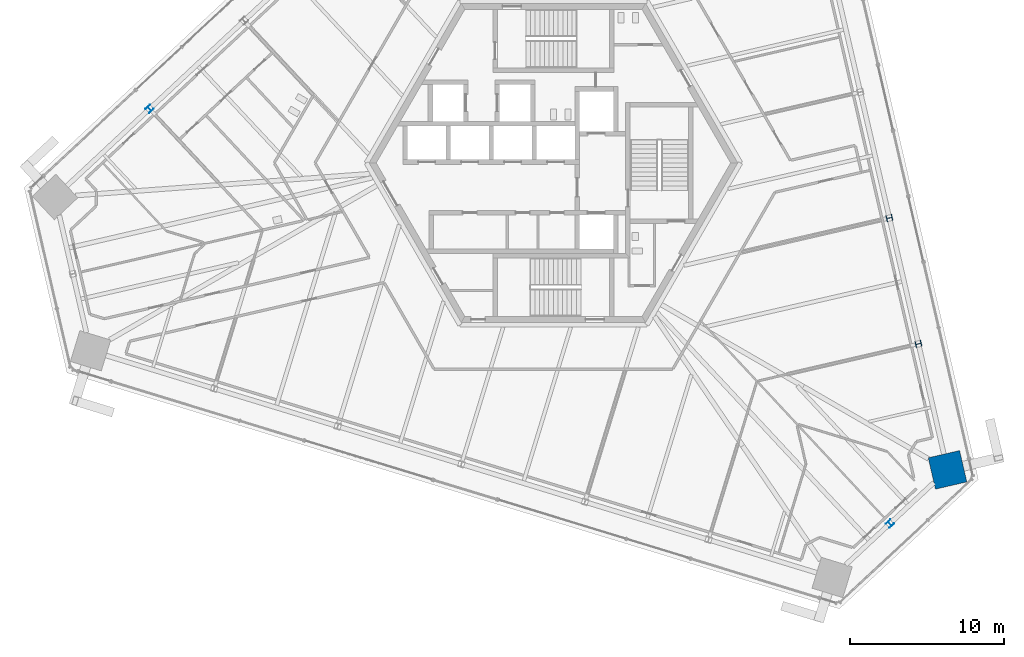
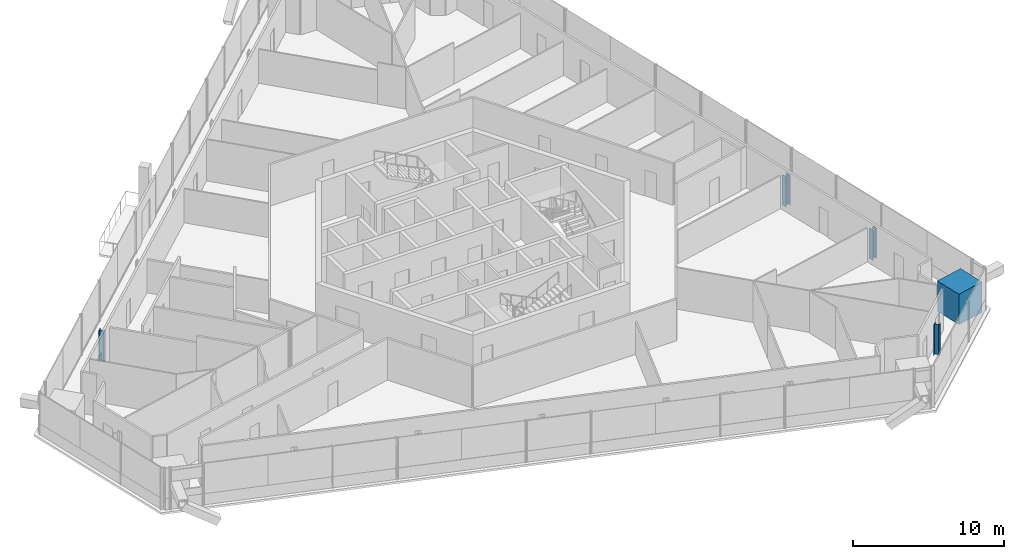
# One storey, part 2 of 25: 5 columns.
"""IFC4 building model written with IfcOpenShell, lengths in metres."""

from ifc_helpers import new_model, si_unit, direction, frame, origin, origin_2d, place, context, subcontext, project, spatial, rectangle, i_section, extrude, source, transform, mapped, material, material_profile, profile_set, type_object, element, save


model = new_model("IFC4")

# Units and contexts
model_context = context("Model", 3, precision=1e-05, world=origin(), true_north=direction((0.0, 1.0)))
body_context = subcontext(model_context, "Body", "Model", "MODEL_VIEW")
ifc_project = project(units=[si_unit("LENGTHUNIT", "METRE"), si_unit("AREAUNIT", "SQUARE_METRE"), si_unit("VOLUMEUNIT", "CUBIC_METRE"), si_unit("PLANEANGLEUNIT", "RADIAN"), si_unit("MASSUNIT", "GRAM", prefix="KILO")], contexts=[model_context])

# Site, building, storey
site_placement = place(None, origin())
site = spatial("IfcSite", under=ifc_project, at=site_placement, CompositionType="ELEMENT")
building_placement = place(site_placement, origin())
building = spatial("IfcBuilding", under=site, at=building_placement, Name="Triune Harvest Tower", CompositionType="ELEMENT")
storey_placement = place(building_placement, frame((0.0, 0.0, 130.699951171875)))
storey = spatial("IfcBuildingStorey", under=building, at=storey_placement, Name="L33", CompositionType="ELEMENT", Elevation=130.699951171875)

# Columns
ifc_material_1 = material(Name="Concrete 70 MPa", Category="concrete")
ifc_material_profile_1 = material_profile(ifc_material_1, rectangle(XDim=2.10009765625, YDim=2.10009765625, at=origin_2d()), Name="Composite 2100x2100")
ifc_profile_set_1 = profile_set([ifc_material_profile_1], Name="Concrete 70 MPa")
column_type_1 = type_object("IfcColumnType", Name="MC-3 Mega column Composite 2100x2100", PredefinedType="COLUMN", material=ifc_profile_set_1)
shared_shape_1 = source(origin(), body_context, "Body", "SweptSolid", [
    extrude(rectangle(XDim=2.10009765625, YDim=2.10009765625, at=origin_2d()), origin(), (0.0, 0.0, 1.0), 2.449951171875),
])
column_placement = place(storey_placement, frame((25.65869140625, -19.983642578125, 0.0), z_axis=(0.0, 0.0, 1.0), x_axis=(-0.22495275494, 0.97436967217, 0.0)))
element("IfcColumn", 1, at=column_placement, inside=storey, type_object=column_type_1, Name="col/L33/M0", PredefinedType="COLUMN", context=body_context, shape_type="MappedRepresentation", body=[
    mapped(shared_shape_1, transform((0.0, 0.0, 0.0), scale=1.0)),
])
ifc_material_2 = material(Name="Steel ASTM A992 Gr 50", Category="steel")
ifc_material_profile_2 = material_profile(ifc_material_2, i_section(OverallWidth=0.396240234375, OverallDepth=0.381103515625, WebThickness=0.01904296875, FlangeThickness=0.0302734375, at=origin_2d()), Name="W14x159")
ifc_profile_set_2 = profile_set([ifc_material_profile_2], Name="Steel ASTM A992 Gr 50")
column_type_2 = type_object("IfcColumnType", Name="PC-3 Perimeter column W14x159", PredefinedType="COLUMN", material=ifc_profile_set_2)
shared_shape_2 = source(origin(), body_context, "Body", "SweptSolid", [
    extrude(i_section(OverallWidth=0.396240234375, OverallDepth=0.381103515625, WebThickness=0.01904296875, FlangeThickness=0.0302734375, at=origin_2d()), origin(), (0.0, 0.0, 1.0), 2.449951171875),
])
for number, where, z_axis, x_axis, name in (
    (2, (23.765869140625, -11.784912109375, 0.0), (0.0, 0.0, 1.0), (-0.22495275494, 0.97436967217, 0.0), "col/L33/P1"),
    (3, (21.872802734375, -3.5859375, 0.0), (0.0, 0.0, 1.0), (-0.22495275494, 0.97436967217, 0.0), "col/L33/P2"),
    (4, (-26.29248046875, 3.51953125, 0.0), (0.0, 0.0, 1.0), (-0.73135489193, -0.681997083608, 0.0), "col/L33/P13"),
    (5, (21.90185546875, -23.48681640625, 0.0), (0.0, 0.0, 1.0), (0.731353701619, 0.681998360062, 0.0), "col/L33/P23"),
):
    element("IfcColumn", number, at=place(storey_placement, frame(where, z_axis=z_axis, x_axis=x_axis)), inside=storey, type_object=column_type_2, Name=name, PredefinedType="COLUMN", context=body_context, shape_type="MappedRepresentation", body=[
        mapped(shared_shape_2, transform((0.0, 0.0, 0.0), scale=1.0)),
    ])

save(model, "model.ifc")
